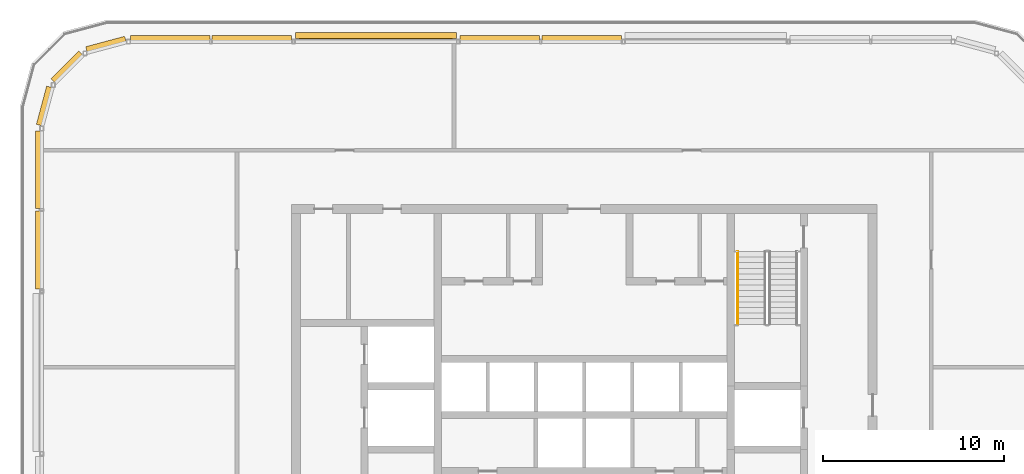
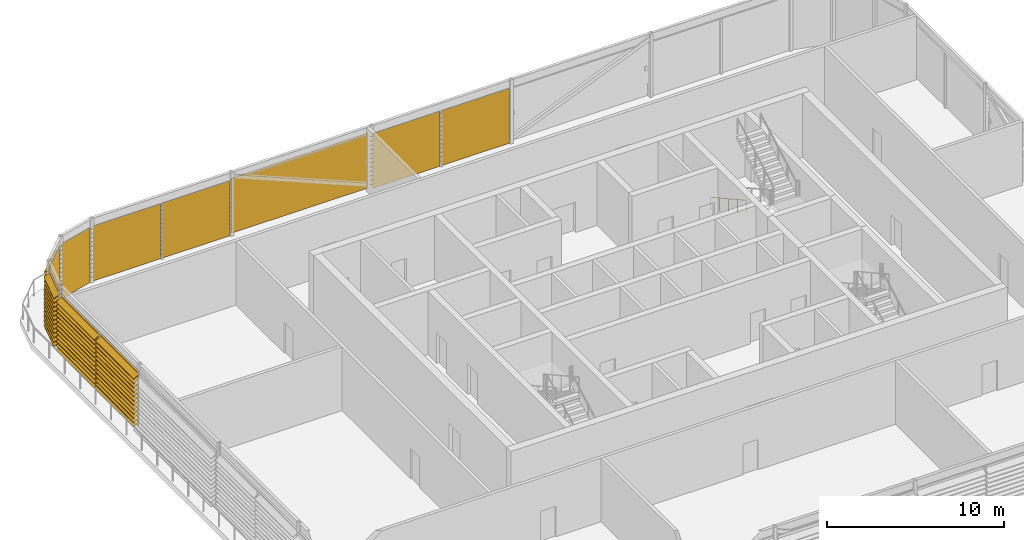
# One storey, part 28 of 29: 10 shading devices, 1 railing.
"""IFC4 building model written with IfcOpenShell, lengths in metres."""

from ifc_helpers import new_model, si_unit, direction, frame, origin, origin_2d, place, context, subcontext, project, spatial, polyline, circle, outline, extrude, material, type_object, element, save


model = new_model("IFC4")

# Units and contexts
model_context = context("Model", 3, precision=1e-05, world=origin(), true_north=direction((0.0, 1.0)))
body_context = subcontext(model_context, "Body", "Model", "MODEL_VIEW")
ifc_project = project(units=[si_unit("LENGTHUNIT", "METRE"), si_unit("AREAUNIT", "SQUARE_METRE"), si_unit("VOLUMEUNIT", "CUBIC_METRE"), si_unit("PLANEANGLEUNIT", "RADIAN"), si_unit("MASSUNIT", "GRAM", prefix="KILO")], contexts=[model_context])

# Site, building, storey
site_placement = place(None, origin())
site = spatial("IfcSite", under=ifc_project, at=site_placement, CompositionType="ELEMENT")
building_placement = place(site_placement, origin())
building = spatial("IfcBuilding", under=site, at=building_placement, Name="Madar Terraces", CompositionType="ELEMENT")
storey_placement = place(building_placement, frame((0.0, 0.0, 296.300048828125)))
storey = spatial("IfcBuildingStorey", under=building, at=storey_placement, Name="L77", CompositionType="ELEMENT", Elevation=296.300048828125)

# Shading devices
ifc_material_1 = material(Name="Aluminium, black anodised", Category="aluminium")
shading_device_type = type_object("IfcShadingDeviceType", Name="Crown louvre bank", PredefinedType="USERDEFINED", material=ifc_material_1)
shading_device_1_placement = place(storey_placement, frame((33.25830078125, 46.800048828125, 0.0), z_axis=(-1.0, 0.0, 0.0), x_axis=(0.0, -1.0, 0.0)))
element("IfcShadingDevice", 1, at=shading_device_1_placement, inside=storey, type_object=shading_device_type, Name="LOUVRE bank L77 18.1", ObjectType="LOUVRE", PredefinedType="USERDEFINED", context=body_context, shape_type="SweptSolid", body=[
    extrude(outline(polyline([(0.014892578125, 0.0), (-0.014892578125, 0.0), (-0.014892578125, 0.24951171875), (-0.3427734375, 0.02001953125), (-0.3427734375, 0.06884765625), (-0.014892578125, 0.29833984375), (-0.014892578125, 0.54931640625), (-0.3427734375, 0.320068359375), (-0.3427734375, 0.368896484375), (-0.014892578125, 0.59814453125), (-0.014892578125, 0.849365234375), (-0.3427734375, 0.6201171875), (-0.3427734375, 0.6689453125), (-0.014892578125, 0.898193359375), (-0.014892578125, 1.1494140625), (-0.3427734375, 0.919921875), (-0.3427734375, 0.96875), (-0.014892578125, 1.1982421875), (-0.014892578125, 1.449462890625), (-0.3427734375, 1.219970703125), (-0.3427734375, 1.268798828125), (-0.014892578125, 1.498291015625), (-0.014892578125, 1.74951171875), (-0.3427734375, 1.52001953125), (-0.3427734375, 1.56884765625), (-0.014892578125, 1.79833984375), (-0.014892578125, 2.04931640625), (-0.3427734375, 1.820068359375), (-0.3427734375, 1.868896484375), (-0.014892578125, 2.09814453125), (-0.014892578125, 2.349365234375), (-0.3427734375, 2.1201171875), (-0.3427734375, 2.1689453125), (-0.014892578125, 2.398193359375), (-0.014892578125, 2.6494140625), (-0.3427734375, 2.419921875), (-0.3427734375, 2.46875), (-0.014892578125, 2.6982421875), (-0.014892578125, 2.949462890625), (-0.3427734375, 2.719970703125), (-0.3427734375, 2.768798828125), (-0.014892578125, 2.998291015625), (-0.014892578125, 3.24951171875), (-0.3427734375, 3.02001953125), (-0.3427734375, 3.06884765625), (-0.014892578125, 3.29833984375), (-0.014892578125, 3.54931640625), (-0.3427734375, 3.320068359375), (-0.3427734375, 3.368896484375), (-0.014892578125, 3.59814453125), (-0.014892578125, 3.798095703125), (0.014892578125, 3.798095703125), (0.014892578125, 0.0)])), origin(), (0.0, 0.0, 1.0), 4.394775390625),
])
shading_device_2_placement = place(storey_placement, frame((28.736572265625, 46.800048828125, 0.0), z_axis=(-1.0, 0.0, 0.0), x_axis=(0.0, -1.0, 0.0)))
element("IfcShadingDevice", 2, at=shading_device_2_placement, inside=storey, type_object=shading_device_type, Name="LOUVRE bank L77 18.2", ObjectType="LOUVRE", PredefinedType="USERDEFINED", context=body_context, shape_type="SweptSolid", body=[
    extrude(outline(polyline([(0.014892578125, 0.0), (-0.014892578125, 0.0), (-0.014892578125, 0.24951171875), (-0.3427734375, 0.02001953125), (-0.3427734375, 0.06884765625), (-0.014892578125, 0.29833984375), (-0.014892578125, 0.54931640625), (-0.3427734375, 0.320068359375), (-0.3427734375, 0.368896484375), (-0.014892578125, 0.59814453125), (-0.014892578125, 0.849365234375), (-0.3427734375, 0.6201171875), (-0.3427734375, 0.6689453125), (-0.014892578125, 0.898193359375), (-0.014892578125, 1.1494140625), (-0.3427734375, 0.919921875), (-0.3427734375, 0.96875), (-0.014892578125, 1.1982421875), (-0.014892578125, 1.449462890625), (-0.3427734375, 1.219970703125), (-0.3427734375, 1.268798828125), (-0.014892578125, 1.498291015625), (-0.014892578125, 1.74951171875), (-0.3427734375, 1.52001953125), (-0.3427734375, 1.56884765625), (-0.014892578125, 1.79833984375), (-0.014892578125, 2.04931640625), (-0.3427734375, 1.820068359375), (-0.3427734375, 1.868896484375), (-0.014892578125, 2.09814453125), (-0.014892578125, 2.349365234375), (-0.3427734375, 2.1201171875), (-0.3427734375, 2.1689453125), (-0.014892578125, 2.398193359375), (-0.014892578125, 2.6494140625), (-0.3427734375, 2.419921875), (-0.3427734375, 2.46875), (-0.014892578125, 2.6982421875), (-0.014892578125, 2.949462890625), (-0.3427734375, 2.719970703125), (-0.3427734375, 2.768798828125), (-0.014892578125, 2.998291015625), (-0.014892578125, 3.24951171875), (-0.3427734375, 3.02001953125), (-0.3427734375, 3.06884765625), (-0.014892578125, 3.29833984375), (-0.014892578125, 3.54931640625), (-0.3427734375, 3.320068359375), (-0.3427734375, 3.368896484375), (-0.014892578125, 3.59814453125), (-0.014892578125, 3.798095703125), (0.014892578125, 3.798095703125), (0.014892578125, 0.0)])), origin(), (0.0, 0.0, 1.0), 4.39501953125),
])
shading_device_3_placement = place(storey_placement, frame((24.138427734375, 46.800048828125, 0.0), z_axis=(-1.0, 0.0, 0.0), x_axis=(0.0, -1.0, 0.0)))
element("IfcShadingDevice", 3, at=shading_device_3_placement, inside=storey, type_object=shading_device_type, Name="LOUVRE bank L77 19.1", ObjectType="LOUVRE", PredefinedType="USERDEFINED", context=body_context, shape_type="SweptSolid", body=[
    extrude(outline(polyline([(-0.156982421875, 0.0), (-0.18701171875, 0.0), (-0.18701171875, 0.24951171875), (-0.5146484375, 0.02001953125), (-0.5146484375, 0.06884765625), (-0.18701171875, 0.29833984375), (-0.18701171875, 0.54931640625), (-0.5146484375, 0.320068359375), (-0.5146484375, 0.368896484375), (-0.18701171875, 0.59814453125), (-0.18701171875, 0.849365234375), (-0.5146484375, 0.6201171875), (-0.5146484375, 0.6689453125), (-0.18701171875, 0.898193359375), (-0.18701171875, 1.1494140625), (-0.5146484375, 0.919921875), (-0.5146484375, 0.96875), (-0.18701171875, 1.1982421875), (-0.18701171875, 1.449462890625), (-0.5146484375, 1.219970703125), (-0.5146484375, 1.268798828125), (-0.18701171875, 1.498291015625), (-0.18701171875, 1.74951171875), (-0.5146484375, 1.52001953125), (-0.5146484375, 1.56884765625), (-0.18701171875, 1.79833984375), (-0.18701171875, 2.04931640625), (-0.5146484375, 1.820068359375), (-0.5146484375, 1.868896484375), (-0.18701171875, 2.09814453125), (-0.18701171875, 2.349365234375), (-0.5146484375, 2.1201171875), (-0.5146484375, 2.1689453125), (-0.18701171875, 2.398193359375), (-0.18701171875, 2.6494140625), (-0.5146484375, 2.419921875), (-0.5146484375, 2.46875), (-0.18701171875, 2.6982421875), (-0.18701171875, 2.949462890625), (-0.5146484375, 2.719970703125), (-0.5146484375, 2.768798828125), (-0.18701171875, 2.998291015625), (-0.18701171875, 3.24951171875), (-0.5146484375, 3.02001953125), (-0.5146484375, 3.06884765625), (-0.18701171875, 3.29833984375), (-0.18701171875, 3.54931640625), (-0.5146484375, 3.320068359375), (-0.5146484375, 3.368896484375), (-0.18701171875, 3.59814453125), (-0.18701171875, 3.798095703125), (-0.156982421875, 3.798095703125), (-0.156982421875, 0.0)])), origin(), (0.0, 0.0, 1.0), 8.916748046875),
])
shading_device_4_placement = place(storey_placement, frame((15.018310546875, 46.800048828125, 0.0), z_axis=(-1.0, 0.0, 0.0), x_axis=(0.0, -1.0, 0.0)))
element("IfcShadingDevice", 4, at=shading_device_4_placement, inside=storey, type_object=shading_device_type, Name="LOUVRE bank L77 20.1", ObjectType="LOUVRE", PredefinedType="USERDEFINED", context=body_context, shape_type="SweptSolid", body=[
    extrude(outline(polyline([(0.014892578125, 0.0), (-0.014892578125, 0.0), (-0.014892578125, 0.24951171875), (-0.3427734375, 0.02001953125), (-0.3427734375, 0.06884765625), (-0.014892578125, 0.29833984375), (-0.014892578125, 0.54931640625), (-0.3427734375, 0.320068359375), (-0.3427734375, 0.368896484375), (-0.014892578125, 0.59814453125), (-0.014892578125, 0.849365234375), (-0.3427734375, 0.6201171875), (-0.3427734375, 0.6689453125), (-0.014892578125, 0.898193359375), (-0.014892578125, 1.1494140625), (-0.3427734375, 0.919921875), (-0.3427734375, 0.96875), (-0.014892578125, 1.1982421875), (-0.014892578125, 1.449462890625), (-0.3427734375, 1.219970703125), (-0.3427734375, 1.268798828125), (-0.014892578125, 1.498291015625), (-0.014892578125, 1.74951171875), (-0.3427734375, 1.52001953125), (-0.3427734375, 1.56884765625), (-0.014892578125, 1.79833984375), (-0.014892578125, 2.04931640625), (-0.3427734375, 1.820068359375), (-0.3427734375, 1.868896484375), (-0.014892578125, 2.09814453125), (-0.014892578125, 2.349365234375), (-0.3427734375, 2.1201171875), (-0.3427734375, 2.1689453125), (-0.014892578125, 2.398193359375), (-0.014892578125, 2.6494140625), (-0.3427734375, 2.419921875), (-0.3427734375, 2.46875), (-0.014892578125, 2.6982421875), (-0.014892578125, 2.949462890625), (-0.3427734375, 2.719970703125), (-0.3427734375, 2.768798828125), (-0.014892578125, 2.998291015625), (-0.014892578125, 3.24951171875), (-0.3427734375, 3.02001953125), (-0.3427734375, 3.06884765625), (-0.014892578125, 3.29833984375), (-0.014892578125, 3.54931640625), (-0.3427734375, 3.320068359375), (-0.3427734375, 3.368896484375), (-0.014892578125, 3.59814453125), (-0.014892578125, 3.798095703125), (0.014892578125, 3.798095703125), (0.014892578125, 0.0)])), origin(), (0.0, 0.0, 1.0), 4.394775390625),
])
shading_device_5_placement = place(storey_placement, frame((10.49658203125, 46.800048828125, 0.0), z_axis=(-1.0, 0.0, 0.0), x_axis=(0.0, -1.0, 0.0)))
element("IfcShadingDevice", 5, at=shading_device_5_placement, inside=storey, type_object=shading_device_type, Name="LOUVRE bank L77 20.2", ObjectType="LOUVRE", PredefinedType="USERDEFINED", context=body_context, shape_type="SweptSolid", body=[
    extrude(outline(polyline([(0.014892578125, 0.0), (-0.014892578125, 0.0), (-0.014892578125, 0.24951171875), (-0.3427734375, 0.02001953125), (-0.3427734375, 0.06884765625), (-0.014892578125, 0.29833984375), (-0.014892578125, 0.54931640625), (-0.3427734375, 0.320068359375), (-0.3427734375, 0.368896484375), (-0.014892578125, 0.59814453125), (-0.014892578125, 0.849365234375), (-0.3427734375, 0.6201171875), (-0.3427734375, 0.6689453125), (-0.014892578125, 0.898193359375), (-0.014892578125, 1.1494140625), (-0.3427734375, 0.919921875), (-0.3427734375, 0.96875), (-0.014892578125, 1.1982421875), (-0.014892578125, 1.449462890625), (-0.3427734375, 1.219970703125), (-0.3427734375, 1.268798828125), (-0.014892578125, 1.498291015625), (-0.014892578125, 1.74951171875), (-0.3427734375, 1.52001953125), (-0.3427734375, 1.56884765625), (-0.014892578125, 1.79833984375), (-0.014892578125, 2.04931640625), (-0.3427734375, 1.820068359375), (-0.3427734375, 1.868896484375), (-0.014892578125, 2.09814453125), (-0.014892578125, 2.349365234375), (-0.3427734375, 2.1201171875), (-0.3427734375, 2.1689453125), (-0.014892578125, 2.398193359375), (-0.014892578125, 2.6494140625), (-0.3427734375, 2.419921875), (-0.3427734375, 2.46875), (-0.014892578125, 2.6982421875), (-0.014892578125, 2.949462890625), (-0.3427734375, 2.719970703125), (-0.3427734375, 2.768798828125), (-0.014892578125, 2.998291015625), (-0.014892578125, 3.24951171875), (-0.3427734375, 3.02001953125), (-0.3427734375, 3.06884765625), (-0.014892578125, 3.29833984375), (-0.014892578125, 3.54931640625), (-0.3427734375, 3.320068359375), (-0.3427734375, 3.368896484375), (-0.014892578125, 3.59814453125), (-0.014892578125, 3.798095703125), (0.014892578125, 3.798095703125), (0.014892578125, 0.0)])), origin(), (0.0, 0.0, 1.0), 4.39501953125),
])
shading_device_6_placement = place(storey_placement, frame((5.87353515625, 46.76611328125, 0.0), z_axis=(-0.965935304808, -0.258783668197, 0.0), x_axis=(0.258783668197, -0.965935304808, 0.0)))
element("IfcShadingDevice", 6, at=shading_device_6_placement, inside=storey, type_object=shading_device_type, Name="LOUVRE bank L77 21.1", ObjectType="LOUVRE", PredefinedType="USERDEFINED", context=body_context, shape_type="SweptSolid", body=[
    extrude(outline(polyline([(0.014892578125, 0.0), (-0.014892578125, 0.0), (-0.014892578125, 0.24951171875), (-0.3427734375, 0.02001953125), (-0.3427734375, 0.06884765625), (-0.014892578125, 0.29833984375), (-0.014892578125, 0.54931640625), (-0.3427734375, 0.320068359375), (-0.3427734375, 0.368896484375), (-0.014892578125, 0.59814453125), (-0.014892578125, 0.849365234375), (-0.3427734375, 0.6201171875), (-0.3427734375, 0.6689453125), (-0.014892578125, 0.898193359375), (-0.014892578125, 1.1494140625), (-0.3427734375, 0.919921875), (-0.3427734375, 0.96875), (-0.014892578125, 1.1982421875), (-0.014892578125, 1.449462890625), (-0.3427734375, 1.219970703125), (-0.3427734375, 1.268798828125), (-0.014892578125, 1.498291015625), (-0.014892578125, 1.74951171875), (-0.3427734375, 1.52001953125), (-0.3427734375, 1.56884765625), (-0.014892578125, 1.79833984375), (-0.014892578125, 2.04931640625), (-0.3427734375, 1.820068359375), (-0.3427734375, 1.868896484375), (-0.014892578125, 2.09814453125), (-0.014892578125, 2.349365234375), (-0.3427734375, 2.1201171875), (-0.3427734375, 2.1689453125), (-0.014892578125, 2.398193359375), (-0.014892578125, 2.6494140625), (-0.3427734375, 2.419921875), (-0.3427734375, 2.46875), (-0.014892578125, 2.6982421875), (-0.014892578125, 2.949462890625), (-0.3427734375, 2.719970703125), (-0.3427734375, 2.768798828125), (-0.014892578125, 2.998291015625), (-0.014892578125, 3.24951171875), (-0.3427734375, 3.02001953125), (-0.3427734375, 3.06884765625), (-0.014892578125, 3.29833984375), (-0.014892578125, 3.54931640625), (-0.3427734375, 3.320068359375), (-0.3427734375, 3.368896484375), (-0.014892578125, 3.59814453125), (-0.014892578125, 3.798095703125), (0.014892578125, 3.798095703125), (0.014892578125, 0.0)])), origin(), (0.0, 0.0, 1.0), 2.22265625),
])
shading_device_7_placement = place(storey_placement, frame((3.485595703125, 46.042724609375, 0.0), z_axis=(-0.707106781187, -0.707106781187, 0.0), x_axis=(0.707106781187, -0.707106781187, 0.0)))
element("IfcShadingDevice", 7, at=shading_device_7_placement, inside=storey, type_object=shading_device_type, Name="LOUVRE bank L77 22.1", ObjectType="LOUVRE", PredefinedType="USERDEFINED", context=body_context, shape_type="SweptSolid", body=[
    extrude(outline(polyline([(0.014892578125, 0.0), (-0.014892578125, 0.0), (-0.014892578125, 0.24951171875), (-0.3427734375, 0.02001953125), (-0.3427734375, 0.06884765625), (-0.014892578125, 0.29833984375), (-0.014892578125, 0.54931640625), (-0.3427734375, 0.320068359375), (-0.3427734375, 0.368896484375), (-0.014892578125, 0.59814453125), (-0.014892578125, 0.849365234375), (-0.3427734375, 0.6201171875), (-0.3427734375, 0.6689453125), (-0.014892578125, 0.898193359375), (-0.014892578125, 1.1494140625), (-0.3427734375, 0.919921875), (-0.3427734375, 0.96875), (-0.014892578125, 1.1982421875), (-0.014892578125, 1.449462890625), (-0.3427734375, 1.219970703125), (-0.3427734375, 1.268798828125), (-0.014892578125, 1.498291015625), (-0.014892578125, 1.74951171875), (-0.3427734375, 1.52001953125), (-0.3427734375, 1.56884765625), (-0.014892578125, 1.79833984375), (-0.014892578125, 2.04931640625), (-0.3427734375, 1.820068359375), (-0.3427734375, 1.868896484375), (-0.014892578125, 2.09814453125), (-0.014892578125, 2.349365234375), (-0.3427734375, 2.1201171875), (-0.3427734375, 2.1689453125), (-0.014892578125, 2.398193359375), (-0.014892578125, 2.6494140625), (-0.3427734375, 2.419921875), (-0.3427734375, 2.46875), (-0.014892578125, 2.6982421875), (-0.014892578125, 2.949462890625), (-0.3427734375, 2.719970703125), (-0.3427734375, 2.768798828125), (-0.014892578125, 2.998291015625), (-0.014892578125, 3.24951171875), (-0.3427734375, 3.02001953125), (-0.3427734375, 3.06884765625), (-0.014892578125, 3.29833984375), (-0.014892578125, 3.54931640625), (-0.3427734375, 3.320068359375), (-0.3427734375, 3.368896484375), (-0.014892578125, 3.59814453125), (-0.014892578125, 3.798095703125), (0.014892578125, 3.798095703125), (0.014892578125, 0.0)])), origin(), (0.0, 0.0, 1.0), 2.161376953125),
])
shading_device_8_placement = place(storey_placement, frame((1.804443359375, 44.256103515625, 0.0), z_axis=(-0.258788169352, -0.965934098893, 0.0), x_axis=(0.965934098893, -0.258788169352, 0.0)))
element("IfcShadingDevice", 8, at=shading_device_8_placement, inside=storey, type_object=shading_device_type, Name="LOUVRE bank L77 23.1", ObjectType="LOUVRE", PredefinedType="USERDEFINED", context=body_context, shape_type="SweptSolid", body=[
    extrude(outline(polyline([(0.014892578125, 0.0), (-0.014892578125, 0.0), (-0.014892578125, 0.24951171875), (-0.3427734375, 0.02001953125), (-0.3427734375, 0.06884765625), (-0.014892578125, 0.29833984375), (-0.014892578125, 0.54931640625), (-0.3427734375, 0.320068359375), (-0.3427734375, 0.368896484375), (-0.014892578125, 0.59814453125), (-0.014892578125, 0.849365234375), (-0.3427734375, 0.6201171875), (-0.3427734375, 0.6689453125), (-0.014892578125, 0.898193359375), (-0.014892578125, 1.1494140625), (-0.3427734375, 0.919921875), (-0.3427734375, 0.96875), (-0.014892578125, 1.1982421875), (-0.014892578125, 1.449462890625), (-0.3427734375, 1.219970703125), (-0.3427734375, 1.268798828125), (-0.014892578125, 1.498291015625), (-0.014892578125, 1.74951171875), (-0.3427734375, 1.52001953125), (-0.3427734375, 1.56884765625), (-0.014892578125, 1.79833984375), (-0.014892578125, 2.04931640625), (-0.3427734375, 1.820068359375), (-0.3427734375, 1.868896484375), (-0.014892578125, 2.09814453125), (-0.014892578125, 2.349365234375), (-0.3427734375, 2.1201171875), (-0.3427734375, 2.1689453125), (-0.014892578125, 2.398193359375), (-0.014892578125, 2.6494140625), (-0.3427734375, 2.419921875), (-0.3427734375, 2.46875), (-0.014892578125, 2.6982421875), (-0.014892578125, 2.949462890625), (-0.3427734375, 2.719970703125), (-0.3427734375, 2.768798828125), (-0.014892578125, 2.998291015625), (-0.014892578125, 3.24951171875), (-0.3427734375, 3.02001953125), (-0.3427734375, 3.06884765625), (-0.014892578125, 3.29833984375), (-0.014892578125, 3.54931640625), (-0.3427734375, 3.320068359375), (-0.3427734375, 3.368896484375), (-0.014892578125, 3.59814453125), (-0.014892578125, 3.798095703125), (0.014892578125, 3.798095703125), (0.014892578125, 0.0)])), origin(), (0.0, 0.0, 1.0), 2.186767578125),
])
shading_device_9_placement = place(storey_placement, frame((1.199951171875, 41.873046875, 0.0), z_axis=(0.0, -1.0, 0.0), x_axis=(1.0, 0.0, 0.0)))
element("IfcShadingDevice", 9, at=shading_device_9_placement, inside=storey, type_object=shading_device_type, Name="LOUVRE bank L77 24.1", ObjectType="LOUVRE", PredefinedType="USERDEFINED", context=body_context, shape_type="SweptSolid", body=[
    extrude(outline(polyline([(0.014892578125, 0.0), (-0.014892578125, 0.0), (-0.014892578125, 0.24951171875), (-0.3427734375, 0.02001953125), (-0.3427734375, 0.06884765625), (-0.014892578125, 0.29833984375), (-0.014892578125, 0.54931640625), (-0.3427734375, 0.320068359375), (-0.3427734375, 0.368896484375), (-0.014892578125, 0.59814453125), (-0.014892578125, 0.849365234375), (-0.3427734375, 0.6201171875), (-0.3427734375, 0.6689453125), (-0.014892578125, 0.898193359375), (-0.014892578125, 1.1494140625), (-0.3427734375, 0.919921875), (-0.3427734375, 0.96875), (-0.014892578125, 1.1982421875), (-0.014892578125, 1.449462890625), (-0.3427734375, 1.219970703125), (-0.3427734375, 1.268798828125), (-0.014892578125, 1.498291015625), (-0.014892578125, 1.74951171875), (-0.3427734375, 1.52001953125), (-0.3427734375, 1.56884765625), (-0.014892578125, 1.79833984375), (-0.014892578125, 2.04931640625), (-0.3427734375, 1.820068359375), (-0.3427734375, 1.868896484375), (-0.014892578125, 2.09814453125), (-0.014892578125, 2.349365234375), (-0.3427734375, 2.1201171875), (-0.3427734375, 2.1689453125), (-0.014892578125, 2.398193359375), (-0.014892578125, 2.6494140625), (-0.3427734375, 2.419921875), (-0.3427734375, 2.46875), (-0.014892578125, 2.6982421875), (-0.014892578125, 2.949462890625), (-0.3427734375, 2.719970703125), (-0.3427734375, 2.768798828125), (-0.014892578125, 2.998291015625), (-0.014892578125, 3.24951171875), (-0.3427734375, 3.02001953125), (-0.3427734375, 3.06884765625), (-0.014892578125, 3.29833984375), (-0.014892578125, 3.54931640625), (-0.3427734375, 3.320068359375), (-0.3427734375, 3.368896484375), (-0.014892578125, 3.59814453125), (-0.014892578125, 3.798095703125), (0.014892578125, 3.798095703125), (0.014892578125, 0.0)])), origin(), (0.0, 0.0, 1.0), 4.3095703125),
])
shading_device_10_placement = place(storey_placement, frame((1.199951171875, 37.4365234375, 0.0), z_axis=(0.0, -1.0, 0.0), x_axis=(1.0, 0.0, 0.0)))
element("IfcShadingDevice", 10, at=shading_device_10_placement, inside=storey, type_object=shading_device_type, Name="LOUVRE bank L77 24.2", ObjectType="LOUVRE", PredefinedType="USERDEFINED", context=body_context, shape_type="SweptSolid", body=[
    extrude(outline(polyline([(0.014892578125, 0.0), (-0.014892578125, 0.0), (-0.014892578125, 0.24951171875), (-0.3427734375, 0.02001953125), (-0.3427734375, 0.06884765625), (-0.014892578125, 0.29833984375), (-0.014892578125, 0.54931640625), (-0.3427734375, 0.320068359375), (-0.3427734375, 0.368896484375), (-0.014892578125, 0.59814453125), (-0.014892578125, 0.849365234375), (-0.3427734375, 0.6201171875), (-0.3427734375, 0.6689453125), (-0.014892578125, 0.898193359375), (-0.014892578125, 1.1494140625), (-0.3427734375, 0.919921875), (-0.3427734375, 0.96875), (-0.014892578125, 1.1982421875), (-0.014892578125, 1.449462890625), (-0.3427734375, 1.219970703125), (-0.3427734375, 1.268798828125), (-0.014892578125, 1.498291015625), (-0.014892578125, 1.74951171875), (-0.3427734375, 1.52001953125), (-0.3427734375, 1.56884765625), (-0.014892578125, 1.79833984375), (-0.014892578125, 2.04931640625), (-0.3427734375, 1.820068359375), (-0.3427734375, 1.868896484375), (-0.014892578125, 2.09814453125), (-0.014892578125, 2.349365234375), (-0.3427734375, 2.1201171875), (-0.3427734375, 2.1689453125), (-0.014892578125, 2.398193359375), (-0.014892578125, 2.6494140625), (-0.3427734375, 2.419921875), (-0.3427734375, 2.46875), (-0.014892578125, 2.6982421875), (-0.014892578125, 2.949462890625), (-0.3427734375, 2.719970703125), (-0.3427734375, 2.768798828125), (-0.014892578125, 2.998291015625), (-0.014892578125, 3.24951171875), (-0.3427734375, 3.02001953125), (-0.3427734375, 3.06884765625), (-0.014892578125, 3.29833984375), (-0.014892578125, 3.54931640625), (-0.3427734375, 3.320068359375), (-0.3427734375, 3.368896484375), (-0.014892578125, 3.59814453125), (-0.014892578125, 3.798095703125), (0.014892578125, 3.798095703125), (0.014892578125, 0.0)])), origin(), (0.0, 0.0, 1.0), 4.3095703125),
])

# Railing
ifc_material_2 = material(Name="Stainless steel railing", Category="steel")
railing_type = type_object("IfcRailingType", Name="Stair handrail 900", PredefinedType="HANDRAIL", material=ifc_material_2)
railing_placement = place(storey_placement, frame((39.699951171875, 35.199951171875, 0.17138671875)))
element("IfcRailing", 11, at=railing_placement, inside=storey, type_object=railing_type, Name="L77 ST2 stair handrail 1", PredefinedType="HANDRAIL", context=body_context, shape_type="SweptSolid", body=[
    extrude(circle(Radius=0.02392578125, at=origin_2d()), frame((0.0, 0.0, 0.8759765625), z_axis=(0.0, -0.875113341371, 0.483918009331), x_axis=(1.0, 0.0, 0.0)), (0.0, 0.0, 1.0), 4.605224609375),
    extrude(circle(Radius=0.02099609375, at=origin_2d()), origin(), (0.0, 0.0, 1.0), 0.851806640625),
    extrude(circle(Radius=0.02099609375, at=origin_2d()), frame((0.0, -1.007568359375, 0.55712890625)), (0.0, 0.0, 1.0), 0.851806640625),
    extrude(circle(Radius=0.02099609375, at=origin_2d()), frame((0.0, -2.01513671875, 1.1142578125)), (0.0, 0.0, 1.0), 0.851806640625),
    extrude(circle(Radius=0.02099609375, at=origin_2d()), frame((0.0, -3.0224609375, 1.67138671875)), (0.0, 0.0, 1.0), 0.851806640625),
    extrude(circle(Radius=0.02099609375, at=origin_2d()), frame((0.0, -4.030029296875, 2.228515625)), (0.0, 0.0, 1.0), 0.851806640625),
])

save(model, "model.ifc")
